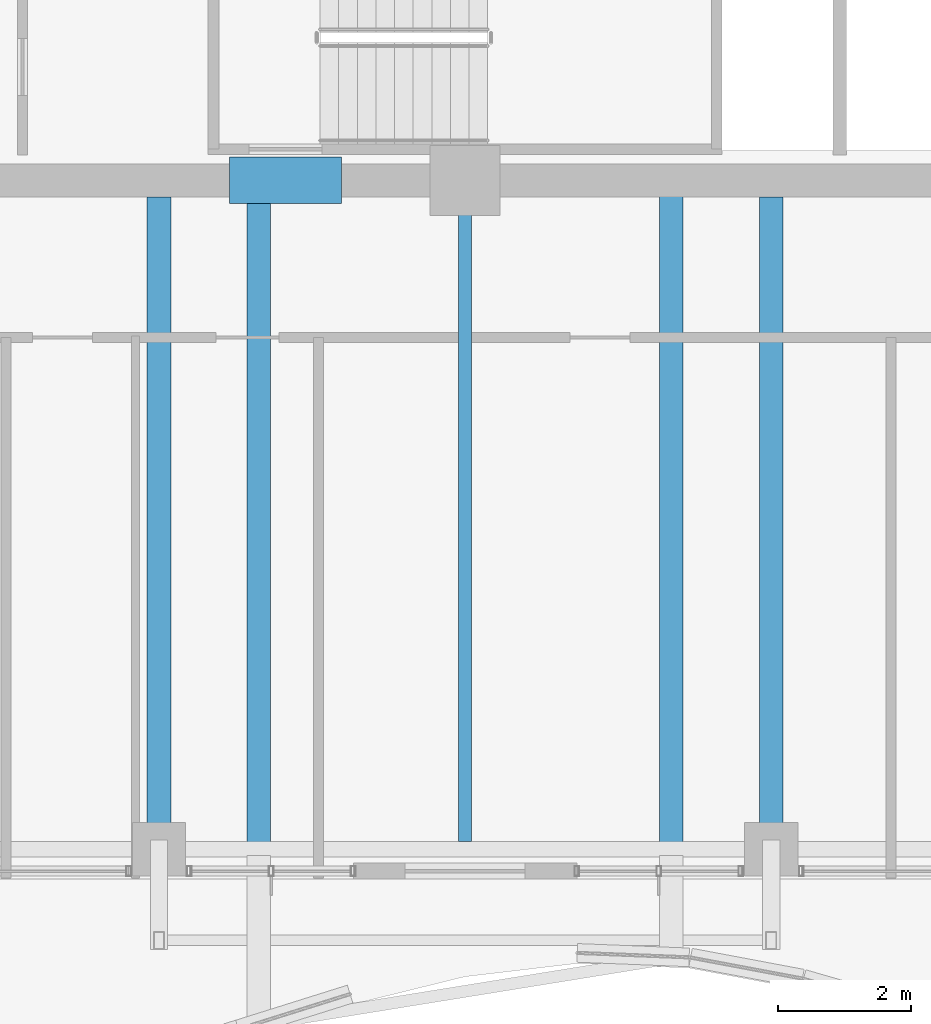
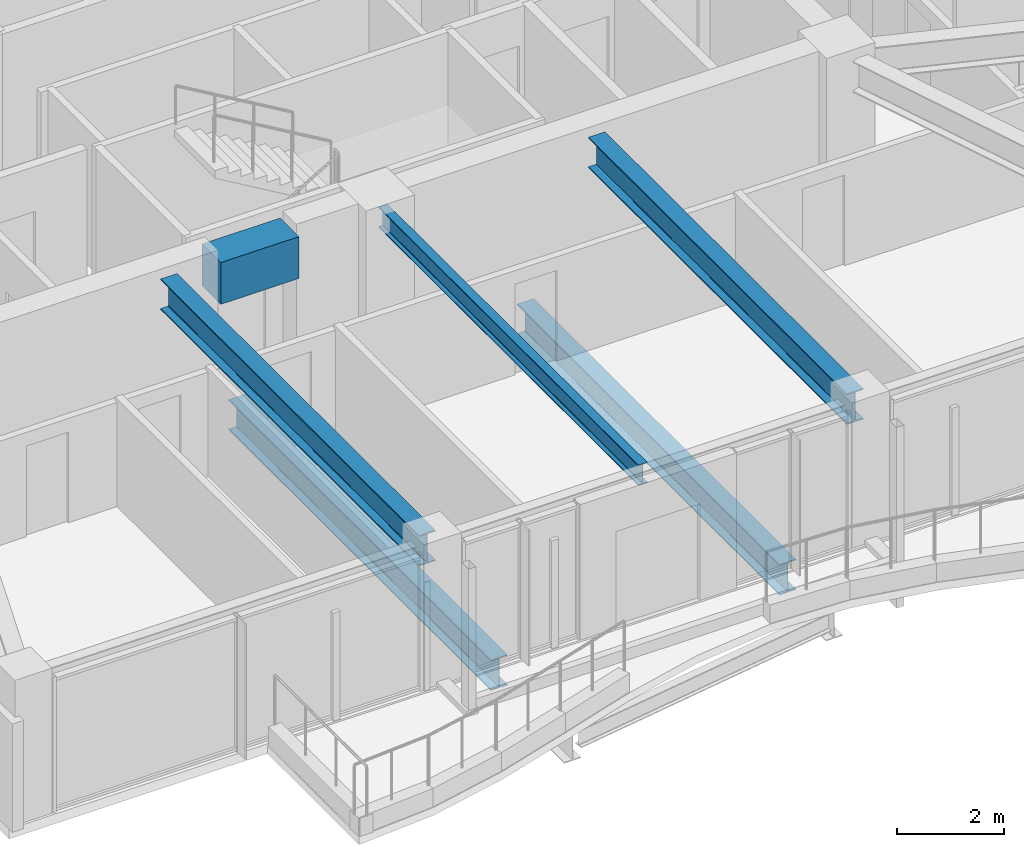
# One storey, part 7 of 38: 6 beams.
"""IFC4 building model written with IfcOpenShell, lengths in metres."""

import ifcopenshell
import ifcopenshell.guid

model = None  # the IFC model being written
_history = None  # IfcOwnerHistory: only IFC2X3 demands one
_inside = {}  # id of a spatial element -> (the spatial element, [elements in it])
_under = {}  # id of a project, library or spatial element -> (it, [spatial elements below it])
_declared = {}  # id of a project -> (the project, [libraries it declares])
_typed = {}  # id of a type object -> (the type object, [elements of that type])
_made_of = {}  # id of a material, layer set ... -> (it, [elements and type objects made of it])


def new_model(schema):
    """Start an empty IFC model of exactly this schema.

    Asked for "IFC4X3", IfcOpenShell would pick the latest addendum, in which some entities
    have other attributes; the version numbers below select the first issue.
    IFC2X3 requires an IfcOwnerHistory on every rooted entity: one is made here for all.
    """
    global model, _history
    if schema == "IFC4X3":
        model = ifcopenshell.file(schema_version=(4, 3, 0, 0))
    else:
        model = ifcopenshell.file(schema=schema)
    _inside.clear()
    _under.clear()
    _declared.clear()
    _typed.clear()
    _made_of.clear()
    _history = None
    if model.schema == "IFC2X3":
        org = make("IfcOrganization", Name="unknown")
        user = make(
            "IfcPersonAndOrganization",
            ThePerson=make("IfcPerson", FamilyName="unknown"),
            TheOrganization=org,
        )
        app = make(
            "IfcApplication",
            ApplicationDeveloper=org,
            Version="unknown",
            ApplicationFullName="unknown",
            ApplicationIdentifier="unknown",
        )
        _history = make(
            "IfcOwnerHistory",
            OwningUser=user,
            OwningApplication=app,
            ChangeAction="ADDED",
            CreationDate=0,
        )
    return model


def make(cls, **values):
    """One entity of the class cls with the attributes given. An attribute that is None is left unset."""
    return model.create_entity(
        cls, **{name: value for name, value in values.items() if value is not None}
    )


def rooted(cls, **values):
    """An entity with a GlobalId (a new one), such as an element, a storey or a relation."""
    return make(cls, GlobalId=ifcopenshell.guid.new(), OwnerHistory=_history, **values)


def si_unit(unit_type, name, prefix=None):
    """IfcSIUnit, for example si_unit("LENGTHUNIT", "METRE", prefix="MILLI")."""
    return make("IfcSIUnit", UnitType=unit_type, Prefix=prefix, Name=name)


def assignment(units):
    """IfcUnitAssignment: the units of a project."""
    return None if units is None else make("IfcUnitAssignment", Units=units)


def point(xyz):
    """IfcCartesianPoint."""
    return None if xyz is None else make("IfcCartesianPoint", Coordinates=xyz)


def direction(xyz):
    """IfcDirection."""
    return None if xyz is None else make("IfcDirection", DirectionRatios=xyz)


def frame(location, z_axis=None, x_axis=None):
    """IfcAxis2Placement3D, a coordinate frame: its origin and axes. An axis left out is left unset."""
    return make(
        "IfcAxis2Placement3D",
        Location=point(location),
        Axis=direction(z_axis),
        RefDirection=direction(x_axis),
    )


def frame_2d(location, x_axis=None):
    """IfcAxis2Placement2D, a coordinate frame in the plane: its origin and x axis."""
    return make(
        "IfcAxis2Placement2D", Location=point(location), RefDirection=direction(x_axis)
    )


def origin():
    """The frame at (0, 0, 0) with its axes left unset."""
    return frame((0.0, 0.0, 0.0))


def origin_2d():
    """The frame at (0, 0) in the plane with its x axis left unset."""
    return frame_2d((0.0, 0.0))


def place(relative_to, where):
    """IfcLocalPlacement: puts the frame where relative to a parent placement (None: the world)."""
    return make(
        "IfcLocalPlacement", PlacementRelTo=relative_to, RelativePlacement=where
    )


def context(
    kind, dimensions, precision=None, world=None, true_north=None, identifier=None
):
    """IfcGeometricRepresentationContext, for example the 3D "Model" context."""
    return make(
        "IfcGeometricRepresentationContext",
        ContextIdentifier=identifier,
        ContextType=kind,
        CoordinateSpaceDimension=dimensions,
        Precision=precision,
        WorldCoordinateSystem=world,
        TrueNorth=true_north,
    )


def subcontext(parent, identifier, kind, view, scale=None):
    """IfcGeometricRepresentationSubContext, for example "Body" below "Model"."""
    return make(
        "IfcGeometricRepresentationSubContext",
        ContextIdentifier=identifier,
        ContextType=kind,
        ParentContext=parent,
        TargetScale=scale,
        TargetView=view,
    )


def project(units=None, contexts=None):
    """IfcProject with its units and contexts."""
    return rooted(
        "IfcProject",
        Name="project",
        RepresentationContexts=contexts,
        UnitsInContext=assignment(units),
    )


def spatial(cls, under=None, at=None, **own):
    """A site, building, storey or space (cls), placed at a placement, below another one or the project."""
    s = rooted(cls, ObjectPlacement=at, **own)
    if under is not None:
        _under.setdefault(under.id(), (under, []))[1].append(s)
    return s


def profile(cls, at=None, kind="AREA", **sizes):
    """A parametric profile (cls). Its sizes go by their IFC names, for example OverallWidth=200.0."""
    return make(cls, ProfileType=kind, Position=at, **sizes)


def rectangle(**sizes):
    """IfcRectangleProfileDef."""
    return profile("IfcRectangleProfileDef", **sizes)


def i_section(**sizes):
    """IfcIShapeProfileDef."""
    return profile("IfcIShapeProfileDef", **sizes)


def extrude(swept, where, along, depth):
    """IfcExtrudedAreaSolid: the profile swept, set in the frame where, extruded along a direction by depth."""
    return make(
        "IfcExtrudedAreaSolid",
        SweptArea=swept,
        Position=where,
        ExtrudedDirection=direction(along),
        Depth=depth,
    )


def shape(context_of_items, identifier, shape_type, items):
    """IfcShapeRepresentation: the items that make up one representation, for example the "Body"."""
    return make(
        "IfcShapeRepresentation",
        ContextOfItems=context_of_items,
        RepresentationIdentifier=identifier,
        RepresentationType=shape_type,
        Items=items,
    )


def material(Name=None, Category=None):
    """IfcMaterial."""
    return make("IfcMaterial", Name=Name, Category=Category)


def material_profile(
    of_material, cross_section, Name=None, Category=None, Priority=None
):
    """IfcMaterialProfile: a cross section and its material."""
    return make(
        "IfcMaterialProfile",
        Name=Name,
        Material=of_material,
        Profile=cross_section,
        Priority=Priority,
        Category=Category,
    )


def profile_set(profiles, Name=None, composite=None):
    """IfcMaterialProfileSet."""
    return make(
        "IfcMaterialProfileSet",
        Name=Name,
        MaterialProfiles=profiles,
        CompositeProfile=composite,
    )


def made_of(thing, what):
    """Note that an element or type object is made of a material, layer set ...; save() writes the relation."""
    if what is not None:
        _made_of.setdefault(what.id(), (what, []))[1].append(thing)
    return thing


def type_object(cls, material=None, **own):
    """A type object (cls), such as IfcWallType, which elements share."""
    return made_of(rooted(cls, **own), material)


def element(
    cls,
    number,
    at=None,
    inside=None,
    cuts=None,
    type_object=None,
    material=None,
    context=None,
    identifier="Body",
    shape_type=None,
    held_by="IfcProductDefinitionShape",
    body=None,
    shapes=None,
    **own,
):
    """One element of the class cls, such as IfcWall. Its Tag is "e" and its number.

    at: its placement. inside: the storey or other place that contains it. cuts: it is an
    opening in that element (IfcRelVoidsElement). A single representation is given by context,
    identifier, shape_type and body (its items); several are given by shapes. held_by: the class
    of the entity that holds the representations. save() writes the other relations.
    """
    e = rooted(cls, Tag="e%d" % number, ObjectPlacement=at, **own)
    if body is not None:
        shapes = [shape(context, identifier, shape_type, body)]
    if shapes is not None:
        e.Representation = make(held_by, Representations=shapes)
    if inside is not None:
        _inside.setdefault(inside.id(), (inside, []))[1].append(e)
    if cuts is not None:
        rooted(
            "IfcRelVoidsElement", RelatingBuildingElement=cuts, RelatedOpeningElement=e
        )
    if type_object is not None:
        _typed.setdefault(type_object.id(), (type_object, []))[1].append(e)
    return made_of(e, material)


def aggregate(whole, parts):
    """IfcRelAggregates: a whole, such as a stair, and the parts it consists of."""
    return rooted("IfcRelAggregates", RelatingObject=whole, RelatedObjects=parts)


def save(model, path):
    """Write the relations noted so far, then the file.

    IfcRelAggregates (storeys below a building ...), IfcRelContainedInSpatialStructure (elements
    in a storey), IfcRelDefinesByType, IfcRelAssociatesMaterial and IfcRelDeclares: one each for
    every whole, place, type object, material and project.
    """
    for whole, parts in _under.values():
        aggregate(whole, parts)
    for where, things in _inside.values():
        rooted(
            "IfcRelContainedInSpatialStructure",
            RelatedElements=things,
            RelatingStructure=where,
        )
    for kind, things in _typed.values():
        rooted("IfcRelDefinesByType", RelatedObjects=things, RelatingType=kind)
    for what, things in _made_of.values():
        rooted("IfcRelAssociatesMaterial", RelatedObjects=things, RelatingMaterial=what)
    for by, libraries in _declared.values():
        rooted("IfcRelDeclares", RelatingContext=by, RelatedDefinitions=libraries)
    model.write(path)


model = new_model("IFC4")

# Units and contexts
model_context = context("Model", 3, precision=1e-05, world=origin(), true_north=direction((0.0, 1.0)))
body_context = subcontext(model_context, "Body", "Model", "MODEL_VIEW")
ifc_project = project(units=[si_unit("LENGTHUNIT", "METRE"), si_unit("AREAUNIT", "SQUARE_METRE"), si_unit("VOLUMEUNIT", "CUBIC_METRE"), si_unit("PLANEANGLEUNIT", "RADIAN"), si_unit("MASSUNIT", "GRAM", prefix="KILO")], contexts=[model_context])

# Site, building, storey
site_placement = place(None, origin())
site = spatial("IfcSite", under=ifc_project, at=site_placement, CompositionType="ELEMENT")
building_placement = place(site_placement, origin())
building = spatial("IfcBuilding", under=site, at=building_placement, Name="Kolvaren Belvedere", CompositionType="ELEMENT")
storey_placement = place(building_placement, frame((0.0, 0.0, 206.39990234375)))
storey = spatial("IfcBuildingStorey", under=building, at=storey_placement, Name="L60", CompositionType="ELEMENT", Elevation=206.39990234375)

# Beams
ifc_material_1 = material(Name="Structural steel ASTM A992 Grade 50", Category="steel")
ifc_material_profile_1 = material_profile(ifc_material_1, i_section(OverallWidth=0.35498046875, OverallDepth=0.696044921875, WebThickness=0.015380859375, FlangeThickness=0.02490234375, FilletRadius=0.02197265625, at=origin_2d()), Name="W27X146")
ifc_profile_set_1 = profile_set([ifc_material_profile_1], Name="Structural steel ASTM A992 Grade 50")
beam_type_1 = type_object("IfcBeamType", Name="BM-GIRD-W27X146", PredefinedType="BEAM", material=ifc_profile_set_1)
for number, where, z_axis, x_axis, name in (
    (1, (-3.10009765625, -10.090087890625, -0.56787109375), (0.0, -1.0, 0.0), (1.0, 0.0, 0.0), "L60 Balcony Interior Back-Span Girder BAL-S-1"),
    (2, (3.10009765625, -10.090087890625, -0.56787109375), (0.0, -1.0, 0.0), (1.0, 0.0, 0.0), "L60 Balcony Interior Back-Span Girder BAL-S-2"),
):
    element("IfcBeam", number, at=place(storey_placement, frame(where, z_axis=z_axis, x_axis=x_axis)), inside=storey, type_object=beam_type_1, Name=name, PredefinedType="BEAM", context=body_context, shape_type="SweptSolid", body=[
        extrude(i_section(OverallWidth=0.35498046875, OverallDepth=0.696044921875, WebThickness=0.015380859375, FlangeThickness=0.02490234375, FilletRadius=0.02197265625, at=origin_2d()), origin(), (0.0, 0.0, 1.0), 9.764892578125),
    ])
for number, where, z_axis, x_axis, name in (
    (3, (4.60009765625, -10.14990234375, 2.732177734375), (0.0, -1.0, 0.0), (1.0, 0.0, 0.0), "L60 South Radial Girder P"),
    (4, (-4.60009765625, -10.14990234375, 2.732177734375), (0.0, -1.0, 0.0), (1.0, 0.0, 0.0), "L60 South Radial Girder M"),
):
    element("IfcBeam", number, at=place(storey_placement, frame(where, z_axis=z_axis, x_axis=x_axis)), inside=storey, type_object=beam_type_1, Name=name, PredefinedType="BEAM", context=body_context, shape_type="SweptSolid", body=[
        extrude(i_section(OverallWidth=0.35498046875, OverallDepth=0.696044921875, WebThickness=0.015380859375, FlangeThickness=0.02490234375, FilletRadius=0.02197265625, at=origin_2d()), origin(), (0.0, 0.0, 1.0), 9.6201171875),
    ])
ifc_material_2 = material(Name="Structural steel ASTM A992 Grade 50", Category="steel")
ifc_material_profile_2 = material_profile(ifc_material_2, i_section(OverallWidth=0.19091796875, OverallDepth=0.4599609375, WebThickness=0.010009765625, FlangeThickness=0.01611328125, FilletRadius=0.014892578125, at=origin_2d()), Name="W18X55")
ifc_profile_set_2 = profile_set([ifc_material_profile_2], Name="Structural steel ASTM A992 Grade 50")
beam_type_2 = type_object("IfcBeamType", Name="BM-JOIST-W18X55", PredefinedType="BEAM", material=ifc_profile_set_2)
beam_1_placement = place(storey_placement, frame((0.0, -10.14990234375, 2.85009765625), z_axis=(0.0, -1.0, 0.0), x_axis=(1.0, 0.0, 0.0)))
element("IfcBeam", 5, at=beam_1_placement, inside=storey, type_object=beam_type_2, Name="L60 South Centre Floor Beam", PredefinedType="BEAM", context=body_context, shape_type="SweptSolid", body=[
    extrude(i_section(OverallWidth=0.19091796875, OverallDepth=0.4599609375, WebThickness=0.010009765625, FlangeThickness=0.01611328125, FilletRadius=0.014892578125, at=origin_2d()), origin(), (0.0, 0.0, 1.0), 9.685546875),
])
ifc_material_3 = material(Name="Concrete C60/75", Category="concrete")
ifc_material_profile_3 = material_profile(ifc_material_3, rectangle(XDim=0.699951171875, YDim=0.949951171875, at=origin_2d()), Name="RC 700X950")
ifc_profile_set_3 = profile_set([ifc_material_profile_3], Name="Concrete C60/75")
beam_type_3 = type_object("IfcBeamType", Name="BM-LINT-950", PredefinedType="LINTEL", material=ifc_profile_set_3)
beam_2_placement = place(storey_placement, frame((-3.5400390625, -9.89990234375, 2.60498046875), z_axis=(1.0, 0.0, 0.0), x_axis=(0.0, 1.0, 0.0)))
element("IfcBeam", 6, at=beam_2_placement, inside=storey, type_object=beam_type_3, Name="L60 South Core Coupling Lintel", PredefinedType="LINTEL", context=body_context, shape_type="SweptSolid", body=[
    extrude(rectangle(XDim=0.699951171875, YDim=0.949951171875, at=origin_2d()), origin(), (0.0, 0.0, 1.0), 1.679931640625),
])

save(model, "model.ifc")
